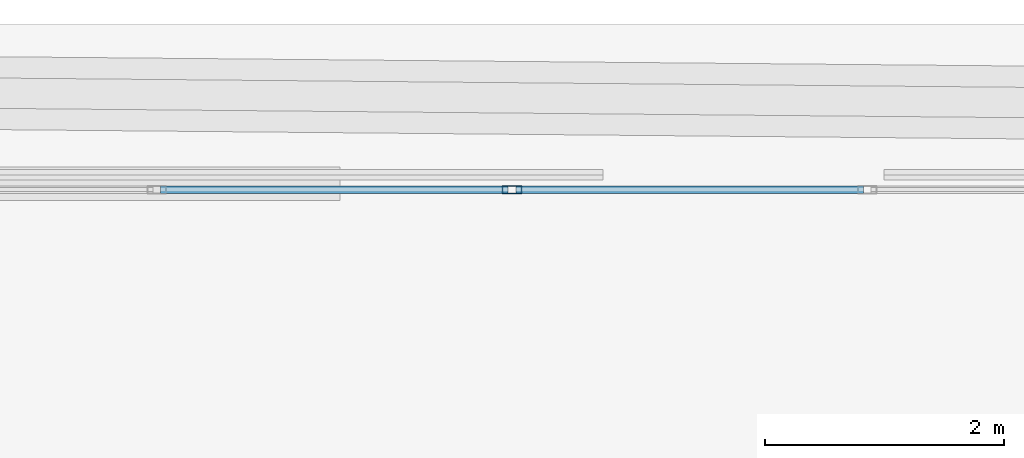
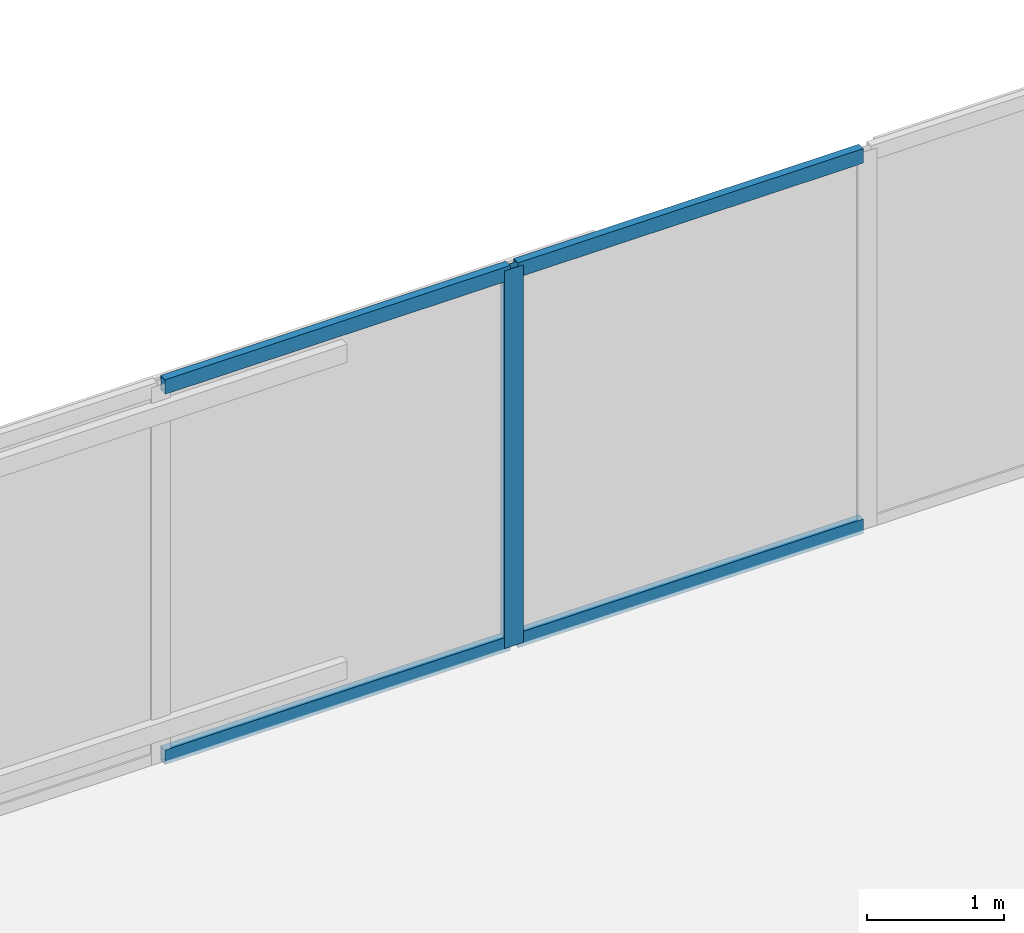
# One storey, part 33 of 50: 5 members, 1 element without a shape of its own.
"""IFC4 building model written with IfcOpenShell, lengths in metres."""

from ifc_helpers import new_model, si_unit, direction, frame, origin, origin_2d, place, context, subcontext, project, spatial, hollow_rectangle, extrude, material, layer, layer_set, material_profile, profile_set, type_object, element, aggregate, save


model = new_model("IFC4")

# Units and contexts
model_context = context("Model", 3, precision=1e-05, world=origin(), true_north=direction((0.0, 1.0)))
body_context = subcontext(model_context, "Body", "Model", "MODEL_VIEW")
ifc_project = project(units=[si_unit("LENGTHUNIT", "METRE"), si_unit("AREAUNIT", "SQUARE_METRE"), si_unit("VOLUMEUNIT", "CUBIC_METRE"), si_unit("PLANEANGLEUNIT", "RADIAN"), si_unit("MASSUNIT", "GRAM", prefix="KILO")], contexts=[model_context])

# Site, building, storey
site_placement = place(None, origin())
site = spatial("IfcSite", under=ifc_project, at=site_placement, CompositionType="ELEMENT")
building_placement = place(site_placement, origin())
building = spatial("IfcBuilding", under=site, at=building_placement, Name="Caelvoria Tower", CompositionType="ELEMENT")
storey_placement = place(building_placement, frame((0.0, 0.0, 71.199951171875)))
storey = spatial("IfcBuildingStorey", under=building, at=storey_placement, Name="L18", CompositionType="ELEMENT", Elevation=71.199951171875)

# Curtain wall, members
ifc_material_1 = material(Name="Anodised Bronze Aluminium and Low-E Glass", Category="aluminium")
ifc_layer = layer(ifc_material_1, 0.18505859375, Name="Anodised Bronze Aluminium and Low-E Glass")
ifc_layer_set = layer_set([ifc_layer], Name="CW System 2 Lower Tower Bronze Unitised Facade - Anodised Bronze Aluminium and Low-E Glass")
curtain_wall_type = type_object("IfcCurtainWallType", Name="CW System 2 Lower Tower Bronze Unitised Facade", PredefinedType="NOTDEFINED", material=ifc_layer_set)
curtain_wall_placement = place(storey_placement, origin())
curtain_wall = element("IfcCurtainWall", 1, at=curtain_wall_placement, inside=storey, type_object=curtain_wall_type, Name="CW-02 Curtain Wall L18-E4", PredefinedType="NOTDEFINED")
ifc_material_2 = material(Name="Anodised Bronze Architectural Aluminium", Category="aluminium")
ifc_material_profile_1 = material_profile(ifc_material_2, hollow_rectangle(XDim=0.06494140625, YDim=0.159912109375, WallThickness=0.00390625, at=origin_2d()), Name="Anodised Bronze Architectural Aluminium")
ifc_profile_set_1 = profile_set([ifc_material_profile_1], Name="CW_MULL_65X160 - Anodised Bronze Architectural Aluminium")
member_type_1 = type_object("IfcMemberType", Name="Curtain Wall Mullion 65x160 Bronze Aluminium", PredefinedType="MULLION", material=ifc_profile_set_1)
member_1_placement = place(storey_placement, frame((34.1142578125, 53.820068359375, 0.0), z_axis=(0.0, 0.0, 1.0), x_axis=(0.0, -1.0, 0.0)))
member_1 = element("IfcMember", 2, at=member_1_placement, type_object=member_type_1, Name="CW-02 mullion 12", PredefinedType="MULLION", context=body_context, shape_type="SweptSolid", body=[
    extrude(hollow_rectangle(XDim=0.06494140625, YDim=0.159912109375, WallThickness=0.00390625, at=origin_2d()), origin(), (0.0, 0.0, 1.0), 3.360107421875),
])
ifc_material_profile_2 = material_profile(ifc_material_2, hollow_rectangle(XDim=0.06494140625, YDim=0.1298828125, WallThickness=0.00341796875, at=origin_2d()), Name="Anodised Bronze Architectural Aluminium")
ifc_profile_set_2 = profile_set([ifc_material_profile_2], Name="CW_TRAN_65X130 - Anodised Bronze Architectural Aluminium")
member_type_2 = type_object("IfcMemberType", Name="Curtain Wall Transom 65x130 Bronze Aluminium", PredefinedType="USERDEFINED", material=ifc_profile_set_2)
member_2_placement = place(storey_placement, frame((37.05322265625, 53.820068359375, 0.032470703125), z_axis=(-1.0, 0.0, 0.0), x_axis=(0.0, -1.0, 0.0)))
member_2 = element("IfcMember", 3, at=member_2_placement, type_object=member_type_2, Name="CW-02 transom 11.1", ObjectType="TRANSOM", PredefinedType="USERDEFINED", context=body_context, shape_type="SweptSolid", body=[
    extrude(hollow_rectangle(XDim=0.06494140625, YDim=0.1298828125, WallThickness=0.00341796875, at=origin_2d()), origin(), (0.0, 0.0, 1.0), 2.906494140625),
])
member_3_placement = place(storey_placement, frame((37.05322265625, 53.820068359375, 3.32763671875), z_axis=(-1.0, 0.0, 0.0), x_axis=(0.0, -1.0, 0.0)))
member_3 = element("IfcMember", 4, at=member_3_placement, type_object=member_type_2, Name="CW-02 transom 11.2", ObjectType="TRANSOM", PredefinedType="USERDEFINED", context=body_context, shape_type="SweptSolid", body=[
    extrude(hollow_rectangle(XDim=0.06494140625, YDim=0.1298828125, WallThickness=0.00341796875, at=origin_2d()), origin(), (0.0, 0.0, 1.0), 2.906494140625),
])
member_4_placement = place(storey_placement, frame((34.081787109375, 53.820068359375, 0.032470703125), z_axis=(-1.0, 0.0, 0.0), x_axis=(0.0, -1.0, 0.0)))
member_4 = element("IfcMember", 5, at=member_4_placement, type_object=member_type_2, Name="CW-02 transom 12.1", ObjectType="TRANSOM", PredefinedType="USERDEFINED", context=body_context, shape_type="SweptSolid", body=[
    extrude(hollow_rectangle(XDim=0.06494140625, YDim=0.1298828125, WallThickness=0.00341796875, at=origin_2d()), origin(), (0.0, 0.0, 1.0), 2.906494140625),
])
member_5_placement = place(storey_placement, frame((34.081787109375, 53.820068359375, 3.32763671875), z_axis=(-1.0, 0.0, 0.0), x_axis=(0.0, -1.0, 0.0)))
member_5 = element("IfcMember", 6, at=member_5_placement, type_object=member_type_2, Name="CW-02 transom 12.2", ObjectType="TRANSOM", PredefinedType="USERDEFINED", context=body_context, shape_type="SweptSolid", body=[
    extrude(hollow_rectangle(XDim=0.06494140625, YDim=0.1298828125, WallThickness=0.00341796875, at=origin_2d()), origin(), (0.0, 0.0, 1.0), 2.906494140625),
])
aggregate(curtain_wall, [member_1, member_2, member_3, member_4, member_5])

save(model, "model.ifc")
